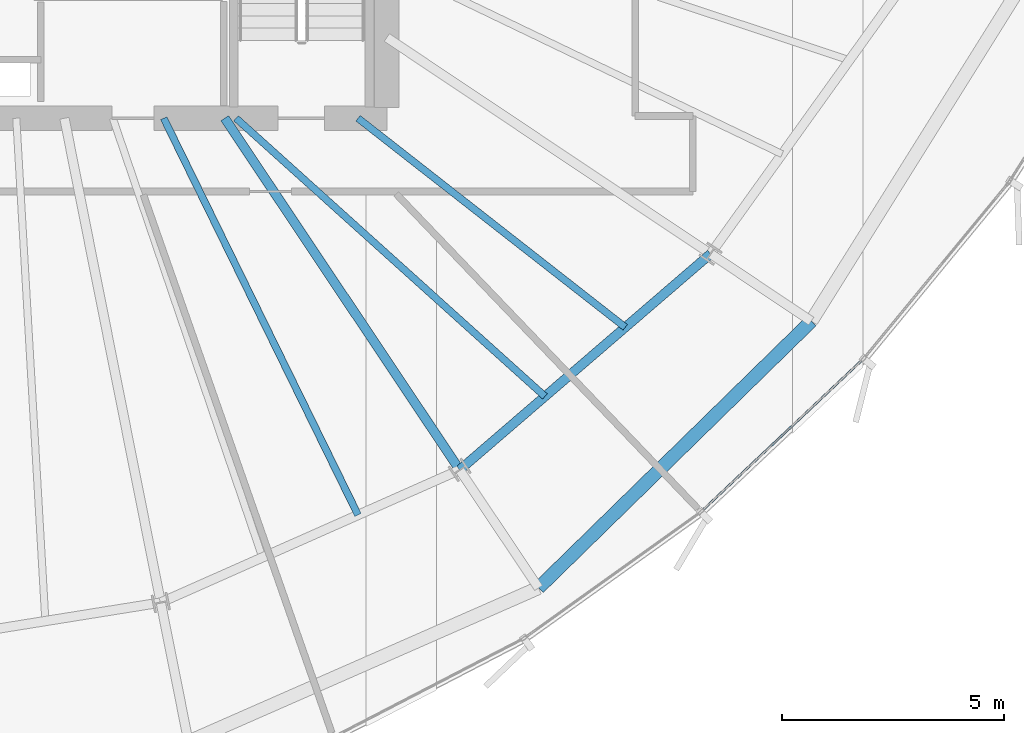
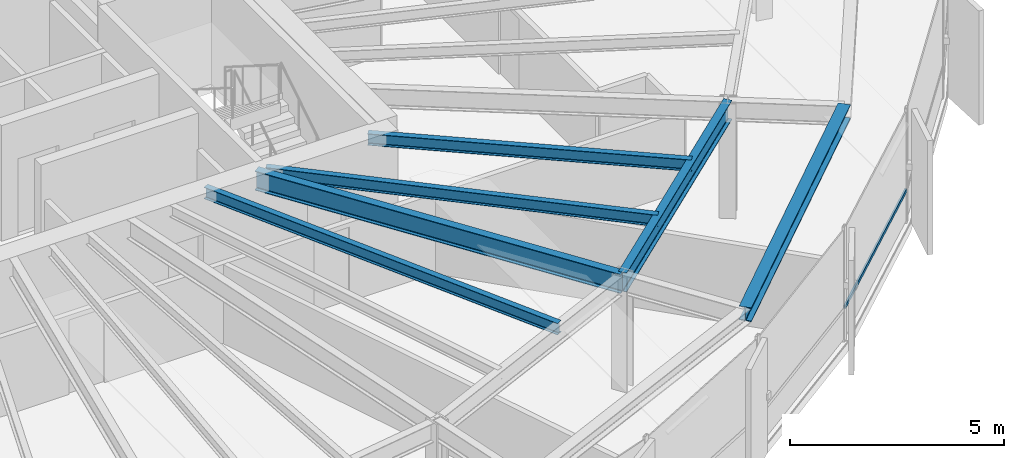
# One storey, part 13 of 32: 6 beams, 1 member, 1 element without a shape of its own.
"""IFC4 building model written with IfcOpenShell, lengths in metres."""

from ifc_helpers import new_model, si_unit, direction, frame, origin, origin_2d, place, context, subcontext, project, spatial, hollow_rectangle, i_section, extrude, source, transform, mapped, material, layer, layer_set, material_profile, profile_set, type_object, element, aggregate, save


model = new_model("IFC4")

# Units and contexts
model_context = context("Model", 3, precision=1e-05, world=origin(), true_north=direction((0.0, 1.0)))
body_context = subcontext(model_context, "Body", "Model", "MODEL_VIEW")
ifc_project = project(units=[si_unit("LENGTHUNIT", "METRE"), si_unit("AREAUNIT", "SQUARE_METRE"), si_unit("VOLUMEUNIT", "CUBIC_METRE"), si_unit("PLANEANGLEUNIT", "RADIAN"), si_unit("MASSUNIT", "GRAM", prefix="KILO"), si_unit("THERMODYNAMICTEMPERATUREUNIT", "KELVIN")], contexts=[model_context])

# Site, building, storey
site_placement = place(None, origin())
site = spatial("IfcSite", under=ifc_project, at=site_placement, CompositionType="ELEMENT")
building_placement = place(site_placement, origin())
building = spatial("IfcBuilding", under=site, at=building_placement, Name="Kethvar Cultural Tower", CompositionType="ELEMENT")
storey_placement = place(building_placement, frame((0.0, 0.0, 160.75)))
storey = spatial("IfcBuildingStorey", under=building, at=storey_placement, Name="L41", CompositionType="ELEMENT", Elevation=160.75)

# Beams
ifc_material_1 = material(Name="Steel S355J2", Category="steel")
ifc_material_profile_1 = material_profile(ifc_material_1, i_section(OverallWidth=0.2099609375, OverallDepth=0.550048828125, WebThickness=0.010986328125, FlangeThickness=0.01708984375, FilletRadius=0.02392578125, at=origin_2d()), Name="Steel S355J2 — IPE550")
ifc_profile_set_1 = profile_set([ifc_material_profile_1], Name="Steel S355J2 — IPE550")
beam_type_1 = type_object("IfcBeamType", Name="BM-IPE550", PredefinedType="BEAM", material=ifc_profile_set_1)
shared_shape_1 = source(origin(), body_context, "Body", "SweptSolid", [
    extrude(i_section(OverallWidth=0.2099609375, OverallDepth=0.550048828125, WebThickness=0.010986328125, FlangeThickness=0.01708984375, FilletRadius=0.02392578125, at=origin_2d()), origin(), (0.0, 0.0, 1.0), 9.534423828125),
])
beam_1_placement = place(storey_placement, frame((51.945068359375, 20.10009765625, 3.02294921875), z_axis=(0.555550817894, -0.831482584747, 0.0), x_axis=(0.831482584747, 0.555550817894, 0.0)))
element("IfcBeam", 1, at=beam_1_placement, inside=storey, type_object=beam_type_1, Name="L41 Primary Radial Beam RB-14", PredefinedType="BEAM", context=body_context, shape_type="MappedRepresentation", body=[
    mapped(shared_shape_1, transform((0.0, 0.0, 0.0), scale=1.0)),
])
ifc_material_profile_2 = material_profile(ifc_material_1, i_section(OverallWidth=0.159912109375, OverallDepth=0.330078125, WebThickness=0.007568359375, FlangeThickness=0.011474609375, FilletRadius=0.01806640625, at=origin_2d()), Name="Steel S355J2 — IPE330")
ifc_profile_set_2 = profile_set([ifc_material_profile_2], Name="Steel S355J2 — IPE330")
beam_type_2 = type_object("IfcBeamType", Name="BM-J330", PredefinedType="JOIST", material=ifc_profile_set_2)
shared_shape_2 = source(origin(), body_context, "Body", "SweptSolid", [
    extrude(i_section(OverallWidth=0.159912109375, OverallDepth=0.330078125, WebThickness=0.007568359375, FlangeThickness=0.011474609375, FilletRadius=0.01806640625, at=origin_2d()), origin(), (0.0, 0.0, 1.0), 9.959228515625),
])
beam_2_placement = place(storey_placement, frame((50.57080078125, 20.10009765625, 3.133056640625), z_axis=(0.439785134514, -0.898103020516, 0.0), x_axis=(0.898103020516, 0.439785134514, 0.0)))
element("IfcBeam", 2, at=beam_2_placement, inside=storey, type_object=beam_type_2, Name="L41 Composite Floor Joist J-13B", PredefinedType="JOIST", context=body_context, shape_type="MappedRepresentation", body=[
    mapped(shared_shape_2, transform((0.0, 0.0, 0.0), scale=1.0)),
])
shared_shape_3 = source(origin(), body_context, "Body", "SweptSolid", [
    extrude(i_section(OverallWidth=0.2099609375, OverallDepth=0.550048828125, WebThickness=0.010986328125, FlangeThickness=0.01708984375, FilletRadius=0.02392578125, at=origin_2d()), origin(), (0.0, 0.0, 1.0), 7.46484375),
])
beam_3_placement = place(storey_placement, frame((57.241943359375, 12.17236328125, 3.02294921875), z_axis=(0.757784075291, 0.652505398625, 0.0), x_axis=(-0.652505398625, 0.757784075291, 0.0)))
element("IfcBeam", 3, at=beam_3_placement, inside=storey, type_object=beam_type_1, Name="L41 Column Ring Tie Beam CR-14", PredefinedType="BEAM", context=body_context, shape_type="MappedRepresentation", body=[
    mapped(shared_shape_3, transform((0.0, 0.0, 0.0), scale=1.0)),
])
shared_shape_4 = source(origin(), body_context, "Body", "SweptSolid", [
    extrude(i_section(OverallWidth=0.159912109375, OverallDepth=0.330078125, WebThickness=0.007568359375, FlangeThickness=0.011474609375, FilletRadius=0.01806640625, at=origin_2d()), origin(), (0.0, 0.0, 1.0), 9.372802734375),
])
beam_4_placement = place(storey_placement, frame((52.199951171875, 20.10009765625, 3.133056640625), z_axis=(0.743151656479, -0.669123019685, 0.0), x_axis=(0.669123019685, 0.743151656479, 0.0)))
element("IfcBeam", 4, at=beam_4_placement, inside=storey, type_object=beam_type_2, Name="L41 Composite Floor Joist J-14A", PredefinedType="JOIST", context=body_context, shape_type="MappedRepresentation", body=[
    mapped(shared_shape_4, transform((0.0, 0.0, 0.0), scale=1.0)),
])
shared_shape_5 = source(origin(), body_context, "Body", "SweptSolid", [
    extrude(i_section(OverallWidth=0.159912109375, OverallDepth=0.330078125, WebThickness=0.007568359375, FlangeThickness=0.011474609375, FilletRadius=0.01806640625, at=origin_2d()), origin(), (0.0, 0.0, 1.0), 7.649658203125),
])
beam_5_placement = place(storey_placement, frame((54.949951171875, 20.10009765625, 3.133056640625), z_axis=(0.787671994752, -0.616094821179, 0.0), x_axis=(0.616094821179, 0.787671994752, 0.0)))
element("IfcBeam", 5, at=beam_5_placement, inside=storey, type_object=beam_type_2, Name="L41 Composite Floor Joist J-14B", PredefinedType="JOIST", context=body_context, shape_type="MappedRepresentation", body=[
    mapped(shared_shape_5, transform((0.0, 0.0, 0.0), scale=1.0)),
])
ifc_material_profile_3 = material_profile(ifc_material_1, i_section(OverallWidth=0.300048828125, OverallDepth=0.39990234375, WebThickness=0.013427734375, FlangeThickness=0.02392578125, FilletRadius=0.027099609375, at=origin_2d()), Name="Steel S355J2 — HEB400")
ifc_profile_set_3 = profile_set([ifc_material_profile_3], Name="Steel S355J2 — HEB400")
beam_type_3 = type_object("IfcBeamType", Name="BM-SP400", PredefinedType="SPANDREL", material=ifc_profile_set_3)
shared_shape_6 = source(origin(), body_context, "Body", "SweptSolid", [
    extrude(i_section(OverallWidth=0.300048828125, OverallDepth=0.39990234375, WebThickness=0.013427734375, FlangeThickness=0.02392578125, FilletRadius=0.027099609375, at=origin_2d()), origin(), (0.0, 0.0, 1.0), 8.6015625),
])
beam_6_placement = place(storey_placement, frame((59.019775390625, 9.51171875, 3.097900390625), z_axis=(0.714897253413, 0.699229516728, 0.0), x_axis=(-0.699229516728, 0.714897253413, 0.0)))
element("IfcBeam", 6, at=beam_6_placement, inside=storey, type_object=beam_type_3, Name="L41 Perimeter Spandrel Beam SP-14", PredefinedType="SPANDREL", context=body_context, shape_type="MappedRepresentation", body=[
    mapped(shared_shape_6, transform((0.0, 0.0, 0.0), scale=1.0)),
])

# Curtain wall, member
ifc_material_2 = material(Name="Aluminium 6063-T6", Category="aluminium")
ifc_layer = layer(ifc_material_2, 0.179931640625, Name="Aluminium 6063-T6", Category="aluminium")
ifc_layer_set = layer_set([ifc_layer], Name="Aluminium 6063-T6 (180 mm)")
curtain_wall_type = type_object("IfcCurtainWallType", Name="CW-SYS-04-Z34", PredefinedType="NOTDEFINED", material=ifc_layer_set)
curtain_wall_placement = place(storey_placement, origin())
curtain_wall = element("IfcCurtainWall", 7, at=curtain_wall_placement, inside=storey, type_object=curtain_wall_type, Name="L41 Curtain Wall Run 05", PredefinedType="NOTDEFINED")
ifc_material_profile_4 = material_profile(ifc_material_2, hollow_rectangle(XDim=0.050048828125, YDim=0.10009765625, WallThickness=0.00390625, at=origin_2d()), Name="Aluminium 6063-T6 — RHS100x50x4")
ifc_profile_set_4 = profile_set([ifc_material_profile_4], Name="Aluminium 6063-T6 — RHS100x50x4")
member_type = type_object("IfcMemberType", Name="CW-SYS-04-Z34-TRN", PredefinedType="USERDEFINED", material=ifc_profile_set_4)
shared_shape_7 = source(origin(), body_context, "Body", "SweptSolid", [
    extrude(hollow_rectangle(XDim=0.050048828125, YDim=0.10009765625, WallThickness=0.00390625, at=origin_2d()), origin(), (0.0, 0.0, 1.0), 4.96630859375),
])
member_placement = place(storey_placement, frame((62.71240234375, 11.2548828125, 0.949951171875), z_axis=(0.727857859046, 0.6857280343, 0.0), x_axis=(-0.6857280343, 0.727857859046, 0.0)))
member = element("IfcMember", 8, at=member_placement, type_object=member_type, Name="CW-L41-R05 Transom 5", ObjectType="TRANSOM", PredefinedType="USERDEFINED", context=body_context, shape_type="MappedRepresentation", body=[
    mapped(shared_shape_7, transform((0.0, 0.0, 0.0), scale=1.0)),
])
aggregate(curtain_wall, [member])

save(model, "model.ifc")
